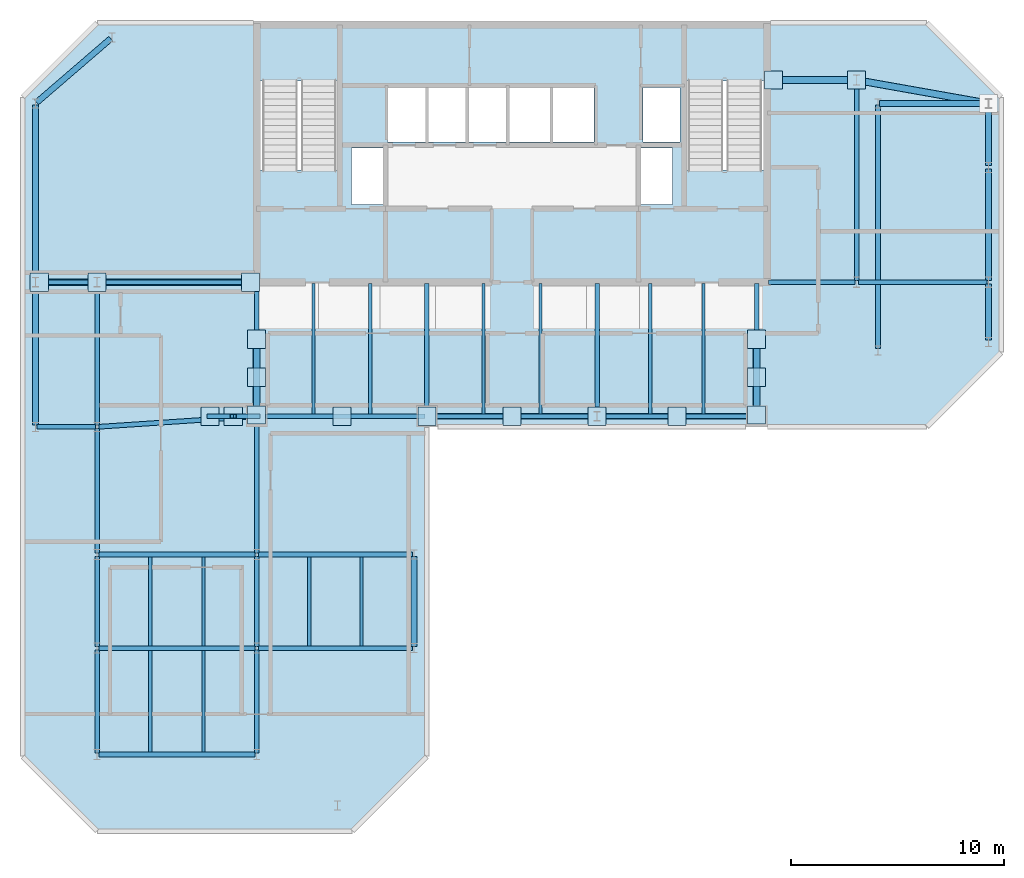
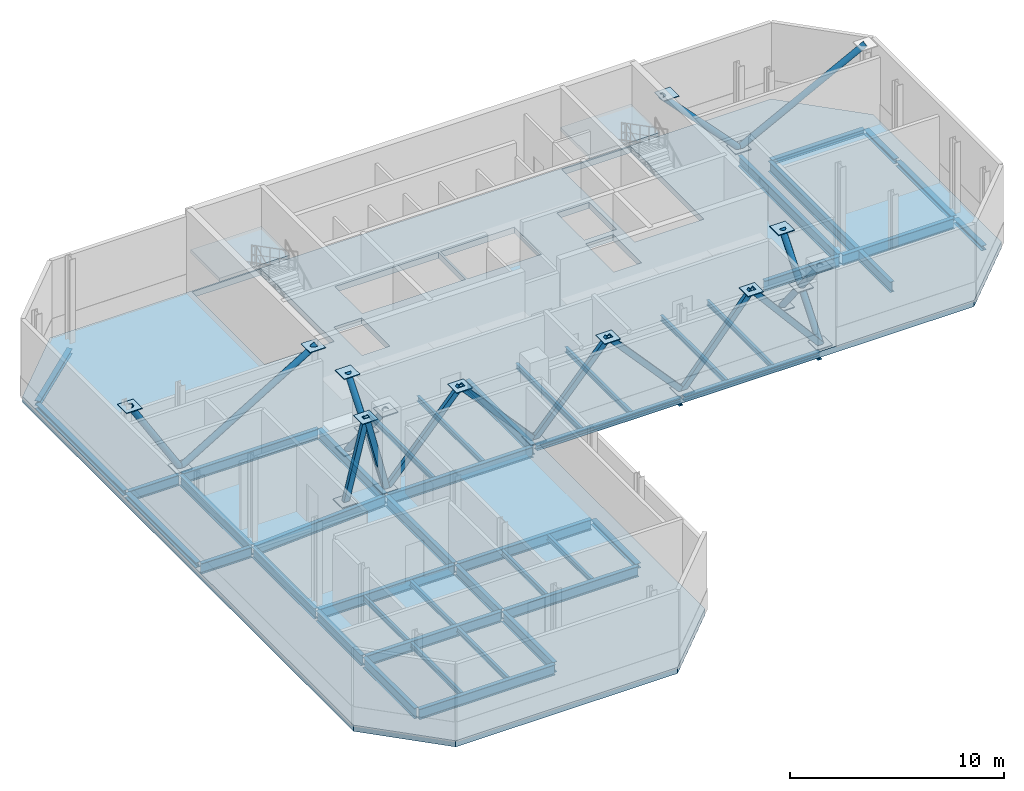
# One storey, part 3 of 7: 47 beams, 22 plates, 18 members, 3 slabs, 2 elements without a shape of their own.
"""IFC4 building model written with IfcOpenShell, lengths in metres."""

from ifc_helpers import new_model, si_unit, direction, frame, origin, origin_2d, place, context, subcontext, project, spatial, polyline, rectangle, hollow_rectangle, hollow_circle, i_section, outline, extrude, material, layer, layer_set, material_profile, profile_set, type_object, element, aggregate, save


model = new_model("IFC4")

# Units and contexts
model_context = context("Model", 3, precision=1e-05, world=origin(), true_north=direction((0.0, 1.0)))
body_context = subcontext(model_context, "Body", "Model", "MODEL_VIEW")
ifc_project = project(units=[si_unit("LENGTHUNIT", "METRE"), si_unit("AREAUNIT", "SQUARE_METRE"), si_unit("VOLUMEUNIT", "CUBIC_METRE"), si_unit("PLANEANGLEUNIT", "RADIAN"), si_unit("MASSUNIT", "GRAM", prefix="KILO")], contexts=[model_context])

# Site, building, storey
site_placement = place(None, origin())
site = spatial("IfcSite", under=ifc_project, at=site_placement, CompositionType="ELEMENT")
building_placement = place(site_placement, origin())
building = spatial("IfcBuilding", under=site, at=building_placement, Name="Catumbela Crestline Tower", CompositionType="ELEMENT")
storey_placement = place(building_placement, frame((0.0, 0.0, 208.2)))
storey = spatial("IfcBuildingStorey", under=building, at=storey_placement, Name="L54", CompositionType="ELEMENT", Elevation=208.2)

# Beams
ifc_material_1 = material(Name="Structural steel S355J2", Category="steel")
ifc_material_profile_1 = material_profile(ifc_material_1, i_section(OverallWidth=0.22, OverallDepth=0.6, WebThickness=0.012, FlangeThickness=0.019, FilletRadius=0.024, at=origin_2d()), Name="IPE 600")
ifc_profile_set_1 = profile_set([ifc_material_profile_1], Name="Structural steel S355J2")
beam_type_1 = type_object("IfcBeamType", Name="BG-IPE600", PredefinedType="BEAM", material=ifc_profile_set_1)
beam_1_placement = place(storey_placement, frame((5.68, 24.0, -0.65), z_axis=(1.0, 0.0, 0.0), x_axis=(0.0, 1.0, 0.0)))
element("IfcBeam", 1, at=beam_1_placement, inside=storey, type_object=beam_type_1, Name="L54 Beam BM-L54-S01", PredefinedType="BEAM", context=body_context, shape_type="SweptSolid", body=[
    extrude(i_section(OverallWidth=0.22, OverallDepth=0.6, WebThickness=0.012, FlangeThickness=0.019, FilletRadius=0.024, at=origin_2d()), origin(), (0.0, 0.0, 1.0), 2.74),
])
beam_2_placement = place(storey_placement, frame((8.5798, 24.0053, -0.65), z_axis=(0.997784796964, 0.066524423687, 0.0), x_axis=(-0.066524423687, 0.997784796964, 0.0)))
element("IfcBeam", 2, at=beam_2_placement, inside=storey, type_object=beam_type_1, Name="L54 Beam BM-L54-S02", PredefinedType="BEAM", context=body_context, shape_type="SweptSolid", body=[
    extrude(i_section(OverallWidth=0.22, OverallDepth=0.6, WebThickness=0.012, FlangeThickness=0.019, FilletRadius=0.024, at=origin_2d()), origin(), (0.0, 0.0, 1.0), 7.3567),
])
beam_3_placement = place(storey_placement, frame((16.08, 24.5, -0.65), z_axis=(1.0, 0.0, 0.0), x_axis=(0.0, 1.0, 0.0)))
element("IfcBeam", 3, at=beam_3_placement, inside=storey, type_object=beam_type_1, Name="L54 Beam BM-L54-S03", PredefinedType="BEAM", context=body_context, shape_type="SweptSolid", body=[
    extrude(i_section(OverallWidth=0.22, OverallDepth=0.6, WebThickness=0.012, FlangeThickness=0.019, FilletRadius=0.024, at=origin_2d()), origin(), (0.0, 0.0, 1.0), 7.84),
])
beam_4_placement = place(storey_placement, frame((5.68, 30.8, -0.65), z_axis=(1.0, 0.0, 0.0), x_axis=(0.0, 1.0, 0.0)))
element("IfcBeam", 4, at=beam_4_placement, inside=storey, type_object=beam_type_1, Name="L54 Beam BM-L54-M06", PredefinedType="BEAM", context=body_context, shape_type="SweptSolid", body=[
    extrude(i_section(OverallWidth=0.22, OverallDepth=0.6, WebThickness=0.012, FlangeThickness=0.019, FilletRadius=0.024, at=origin_2d()), origin(), (0.0, 0.0, 1.0), 2.74),
])
beam_5_placement = place(storey_placement, frame((8.58, 30.8, -0.65), z_axis=(1.0, 0.0, 0.0), x_axis=(0.0, 1.0, 0.0)))
element("IfcBeam", 5, at=beam_5_placement, inside=storey, type_object=beam_type_1, Name="L54 Beam BM-L54-M07", PredefinedType="BEAM", context=body_context, shape_type="SweptSolid", body=[
    extrude(i_section(OverallWidth=0.22, OverallDepth=0.6, WebThickness=0.012, FlangeThickness=0.019, FilletRadius=0.024, at=origin_2d()), origin(), (0.0, 0.0, 1.0), 7.37),
])
beam_6_placement = place(storey_placement, frame((40.05, 30.8, -0.65), z_axis=(1.0, 0.0, 0.0), x_axis=(0.0, 1.0, 0.0)))
element("IfcBeam", 6, at=beam_6_placement, inside=storey, type_object=beam_type_1, Name="L54 Beam BM-L54-M08", PredefinedType="BEAM", context=body_context, shape_type="SweptSolid", body=[
    extrude(i_section(OverallWidth=0.22, OverallDepth=0.6, WebThickness=0.012, FlangeThickness=0.019, FilletRadius=0.024, at=origin_2d()), origin(), (0.0, 0.0, 1.0), 4.07),
])
beam_7_placement = place(storey_placement, frame((44.28, 30.8, -0.65), z_axis=(1.0, 0.0, 0.0), x_axis=(0.0, 1.0, 0.0)))
element("IfcBeam", 7, at=beam_7_placement, inside=storey, type_object=beam_type_1, Name="L54 Beam BM-L54-M09", PredefinedType="BEAM", context=body_context, shape_type="SweptSolid", body=[
    extrude(i_section(OverallWidth=0.22, OverallDepth=0.6, WebThickness=0.012, FlangeThickness=0.019, FilletRadius=0.024, at=origin_2d()), origin(), (0.0, 0.0, 1.0), 6.04),
])
beam_8_placement = place(storey_placement, frame((8.5, 24.08, -0.65), z_axis=(0.0, 1.0, 0.0), x_axis=(-1.0, 0.0, 0.0)))
element("IfcBeam", 8, at=beam_8_placement, inside=storey, type_object=beam_type_1, Name="L54 Beam BM-L54-SN16", PredefinedType="BEAM", context=body_context, shape_type="SweptSolid", body=[
    extrude(i_section(OverallWidth=0.22, OverallDepth=0.6, WebThickness=0.012, FlangeThickness=0.019, FilletRadius=0.024, at=origin_2d()), origin(), (0.0, 0.0, 1.0), 6.64),
])
for number, where, z_axis, x_axis, name in (
    (9, (16.0, 24.58, -0.65), (0.0, 1.0, 0.0), (-1.0, 0.0, 0.0), "L54 Beam BM-L54-SNS17"),
    (10, (24.0, 24.58, -0.65), (0.0, 1.0, 0.0), (-1.0, 0.0, 0.0), "L54 Beam BM-L54-SNS18"),
    (11, (32.0, 24.58, -0.65), (0.0, 1.0, 0.0), (-1.0, 0.0, 0.0), "L54 Beam BM-L54-SNS19"),
    (12, (39.5, 24.58, -0.65), (0.0, 1.0, 0.0), (-1.0, 0.0, 0.0), "L54 Beam BM-L54-SNS20"),
):
    element("IfcBeam", number, at=place(storey_placement, frame(where, z_axis=z_axis, x_axis=x_axis)), inside=storey, type_object=beam_type_1, Name=name, PredefinedType="BEAM", context=body_context, shape_type="SweptSolid", body=[
        extrude(i_section(OverallWidth=0.22, OverallDepth=0.6, WebThickness=0.012, FlangeThickness=0.019, FilletRadius=0.024, at=origin_2d()), origin(), (0.0, 0.0, 1.0), 6.17),
    ])
beam_9_placement = place(storey_placement, frame((44.2, 30.88, -0.65), z_axis=(0.0, 1.0, 0.0), x_axis=(-1.0, 0.0, 0.0)))
element("IfcBeam", 13, at=beam_9_placement, inside=storey, type_object=beam_type_1, Name="L54 Beam BM-L54-SN21", PredefinedType="BEAM", context=body_context, shape_type="SweptSolid", body=[
    extrude(i_section(OverallWidth=0.22, OverallDepth=0.6, WebThickness=0.012, FlangeThickness=0.019, FilletRadius=0.024, at=origin_2d()), origin(), (0.0, 0.0, 1.0), 9.34),
])
beam_10_placement = place(storey_placement, frame((45.2, 27.68, -0.65), z_axis=(0.0, 1.0, 0.0), x_axis=(-1.0, 0.0, 0.0)))
element("IfcBeam", 14, at=beam_10_placement, inside=storey, type_object=beam_type_1, Name="L54 Beam BM-L54-SN22", PredefinedType="BEAM", context=body_context, shape_type="SweptSolid", body=[
    extrude(i_section(OverallWidth=0.22, OverallDepth=0.6, WebThickness=0.012, FlangeThickness=0.019, FilletRadius=0.024, at=origin_2d()), origin(), (0.0, 0.0, 1.0), 11.44),
])
for number, where, z_axis, x_axis, name in (
    (15, (8.58, 8.6, -0.65), (1.0, 0.0, 0.0), (0.0, 1.0, 0.0), "L54 Beam BM-L54-WEW32"),
    (16, (8.58, 13.6, -0.65), (1.0, 0.0, 0.0), (0.0, 1.0, 0.0), "L54 Beam BM-L54-WEW33"),
):
    element("IfcBeam", number, at=place(storey_placement, frame(where, z_axis=z_axis, x_axis=x_axis)), inside=storey, type_object=beam_type_1, Name=name, PredefinedType="BEAM", context=body_context, shape_type="SweptSolid", body=[
        extrude(i_section(OverallWidth=0.22, OverallDepth=0.6, WebThickness=0.012, FlangeThickness=0.019, FilletRadius=0.024, at=origin_2d()), origin(), (0.0, 0.0, 1.0), 7.34),
    ])
beam_11_placement = place(storey_placement, frame((16.08, 13.6, -0.65), z_axis=(1.0, 0.0, 0.0), x_axis=(0.0, 1.0, 0.0)))
element("IfcBeam", 17, at=beam_11_placement, inside=storey, type_object=beam_type_1, Name="L54 Beam BM-L54-WEW34", PredefinedType="BEAM", context=body_context, shape_type="SweptSolid", body=[
    extrude(i_section(OverallWidth=0.22, OverallDepth=0.6, WebThickness=0.012, FlangeThickness=0.019, FilletRadius=0.024, at=origin_2d()), origin(), (0.0, 0.0, 1.0), 7.24),
])
beam_12_placement = place(storey_placement, frame((8.58, 18.0, -0.65), z_axis=(1.0, 0.0, 0.0), x_axis=(0.0, 1.0, 0.0)))
element("IfcBeam", 18, at=beam_12_placement, inside=storey, type_object=beam_type_1, Name="L54 Beam BM-L54-WEW35", PredefinedType="BEAM", context=body_context, shape_type="SweptSolid", body=[
    extrude(i_section(OverallWidth=0.22, OverallDepth=0.6, WebThickness=0.012, FlangeThickness=0.019, FilletRadius=0.024, at=origin_2d()), origin(), (0.0, 0.0, 1.0), 7.34),
])
beam_13_placement = place(storey_placement, frame((16.08, 18.0, -0.65), z_axis=(1.0, 0.0, 0.0), x_axis=(0.0, 1.0, 0.0)))
element("IfcBeam", 19, at=beam_13_placement, inside=storey, type_object=beam_type_1, Name="L54 Beam BM-L54-WEW36", PredefinedType="BEAM", context=body_context, shape_type="SweptSolid", body=[
    extrude(i_section(OverallWidth=0.22, OverallDepth=0.6, WebThickness=0.012, FlangeThickness=0.019, FilletRadius=0.024, at=origin_2d()), origin(), (0.0, 0.0, 1.0), 7.24),
])
beam_14_placement = place(storey_placement, frame((8.5, 8.68, -0.65), z_axis=(0.0, 1.0, 0.0), x_axis=(-1.0, 0.0, 0.0)))
element("IfcBeam", 20, at=beam_14_placement, inside=storey, type_object=beam_type_1, Name="L54 Beam BM-L54-WNS37", PredefinedType="BEAM", context=body_context, shape_type="SweptSolid", body=[
    extrude(i_section(OverallWidth=0.22, OverallDepth=0.6, WebThickness=0.012, FlangeThickness=0.019, FilletRadius=0.024, at=origin_2d()), origin(), (0.0, 0.0, 1.0), 4.84),
])
beam_15_placement = place(storey_placement, frame((8.5, 13.68, -0.65), z_axis=(0.0, 1.0, 0.0), x_axis=(-1.0, 0.0, 0.0)))
element("IfcBeam", 21, at=beam_15_placement, inside=storey, type_object=beam_type_1, Name="L54 Beam BM-L54-WNS38", PredefinedType="BEAM", context=body_context, shape_type="SweptSolid", body=[
    extrude(i_section(OverallWidth=0.22, OverallDepth=0.6, WebThickness=0.012, FlangeThickness=0.019, FilletRadius=0.024, at=origin_2d()), origin(), (0.0, 0.0, 1.0), 4.24),
])
beam_16_placement = place(storey_placement, frame((8.5, 18.08, -0.65), z_axis=(0.0, 1.0, 0.0), x_axis=(-1.0, 0.0, 0.0)))
element("IfcBeam", 22, at=beam_16_placement, inside=storey, type_object=beam_type_1, Name="L54 Beam BM-L54-WNS39", PredefinedType="BEAM", context=body_context, shape_type="SweptSolid", body=[
    extrude(i_section(OverallWidth=0.22, OverallDepth=0.6, WebThickness=0.012, FlangeThickness=0.019, FilletRadius=0.024, at=origin_2d()), origin(), (0.0, 0.0, 1.0), 5.84),
])
beam_17_placement = place(storey_placement, frame((16.0, 8.68, -0.65), z_axis=(0.0, 1.0, 0.0), x_axis=(-1.0, 0.0, 0.0)))
element("IfcBeam", 23, at=beam_17_placement, inside=storey, type_object=beam_type_1, Name="L54 Beam BM-L54-WNS40", PredefinedType="BEAM", context=body_context, shape_type="SweptSolid", body=[
    extrude(i_section(OverallWidth=0.22, OverallDepth=0.6, WebThickness=0.012, FlangeThickness=0.019, FilletRadius=0.024, at=origin_2d()), origin(), (0.0, 0.0, 1.0), 4.84),
])
beam_18_placement = place(storey_placement, frame((16.0, 13.68, -0.65), z_axis=(0.0, 1.0, 0.0), x_axis=(-1.0, 0.0, 0.0)))
element("IfcBeam", 24, at=beam_18_placement, inside=storey, type_object=beam_type_1, Name="L54 Beam BM-L54-WNS41", PredefinedType="BEAM", context=body_context, shape_type="SweptSolid", body=[
    extrude(i_section(OverallWidth=0.22, OverallDepth=0.6, WebThickness=0.012, FlangeThickness=0.019, FilletRadius=0.024, at=origin_2d()), origin(), (0.0, 0.0, 1.0), 4.24),
])
beam_19_placement = place(storey_placement, frame((16.0, 18.08, -0.65), z_axis=(0.0, 1.0, 0.0), x_axis=(-1.0, 0.0, 0.0)))
element("IfcBeam", 25, at=beam_19_placement, inside=storey, type_object=beam_type_1, Name="L54 Beam BM-L54-WNS42", PredefinedType="BEAM", context=body_context, shape_type="SweptSolid", body=[
    extrude(i_section(OverallWidth=0.22, OverallDepth=0.6, WebThickness=0.012, FlangeThickness=0.019, FilletRadius=0.024, at=origin_2d()), origin(), (0.0, 0.0, 1.0), 6.34),
])
ifc_material_profile_2 = material_profile(ifc_material_1, i_section(OverallWidth=0.15, OverallDepth=0.3, WebThickness=0.0071, FlangeThickness=0.0107, FilletRadius=0.015, at=origin_2d()), Name="IPE 300")
ifc_profile_set_2 = profile_set([ifc_material_profile_2], Name="Structural steel S355J2")
beam_type_2 = type_object("IfcBeamType", Name="BJ-IPE300", PredefinedType="JOIST", material=ifc_profile_set_2)
for number, where, z_axis, x_axis, name in (
    (26, (18.667, 24.61, -0.5), (0.0, 1.0, 0.0), (-1.0, 0.0, 0.0), "L54 Joist JS-L54-SP26"),
    (27, (21.333, 24.61, -0.5), (0.0, 1.0, 0.0), (-1.0, 0.0, 0.0), "L54 Joist JS-L54-SP27"),
    (28, (26.667, 24.61, -0.5), (0.0, 1.0, 0.0), (-1.0, 0.0, 0.0), "L54 Joist JS-L54-SP28"),
    (29, (29.333, 24.61, -0.5), (0.0, 1.0, 0.0), (-1.0, 0.0, 0.0), "L54 Joist JS-L54-SP29"),
    (30, (34.5, 24.61, -0.5), (0.0, 1.0, 0.0), (-1.0, 0.0, 0.0), "L54 Joist JS-L54-SP30"),
    (31, (37.0, 24.61, -0.5), (0.0, 1.0, 0.0), (-1.0, 0.0, 0.0), "L54 Joist JS-L54-SP31"),
):
    element("IfcBeam", number, at=place(storey_placement, frame(where, z_axis=z_axis, x_axis=x_axis)), inside=storey, type_object=beam_type_2, Name=name, PredefinedType="JOIST", context=body_context, shape_type="SweptSolid", body=[
        extrude(i_section(OverallWidth=0.15, OverallDepth=0.3, WebThickness=0.0071, FlangeThickness=0.0107, FilletRadius=0.015, at=origin_2d()), origin(), (0.0, 0.0, 1.0), 6.14),
    ])
for number, where, z_axis, x_axis, name in (
    (32, (11.0, 8.71, -0.5), (0.0, 1.0, 0.0), (-1.0, 0.0, 0.0), "L54 Joist JS-L54-WG44"),
    (33, (13.5, 8.71, -0.5), (0.0, 1.0, 0.0), (-1.0, 0.0, 0.0), "L54 Joist JS-L54-WG45"),
):
    element("IfcBeam", number, at=place(storey_placement, frame(where, z_axis=z_axis, x_axis=x_axis)), inside=storey, type_object=beam_type_2, Name=name, PredefinedType="JOIST", context=body_context, shape_type="SweptSolid", body=[
        extrude(i_section(OverallWidth=0.15, OverallDepth=0.3, WebThickness=0.0071, FlangeThickness=0.0107, FilletRadius=0.015, at=origin_2d()), origin(), (0.0, 0.0, 1.0), 4.78),
    ])
for number, where, z_axis, x_axis, name in (
    (34, (11.0, 13.71, -0.5), (0.0, 1.0, 0.0), (-1.0, 0.0, 0.0), "L54 Joist JS-L54-WG46"),
    (35, (13.5, 13.71, -0.5), (0.0, 1.0, 0.0), (-1.0, 0.0, 0.0), "L54 Joist JS-L54-WG47"),
    (36, (18.467, 13.71, -0.5), (0.0, 1.0, 0.0), (-1.0, 0.0, 0.0), "L54 Joist JS-L54-WG48"),
    (37, (20.933, 13.71, -0.5), (0.0, 1.0, 0.0), (-1.0, 0.0, 0.0), "L54 Joist JS-L54-WG49"),
):
    element("IfcBeam", number, at=place(storey_placement, frame(where, z_axis=z_axis, x_axis=x_axis)), inside=storey, type_object=beam_type_2, Name=name, PredefinedType="JOIST", context=body_context, shape_type="SweptSolid", body=[
        extrude(i_section(OverallWidth=0.15, OverallDepth=0.3, WebThickness=0.0071, FlangeThickness=0.0107, FilletRadius=0.015, at=origin_2d()), origin(), (0.0, 0.0, 1.0), 4.18),
    ])

# Members
ifc_material_2 = material(Name="Structural steel S460M", Category="steel")
ifc_material_profile_3 = material_profile(ifc_material_2, hollow_rectangle(XDim=0.2, YDim=0.3, WallThickness=0.016, at=origin_2d()), Name="RHS 300x200x16")
ifc_profile_set_3 = profile_set([ifc_material_profile_3], Name="Structural steel S460M")
member_type_1 = type_object("IfcMemberType", Name="BB-300", PredefinedType="BRACE", material=ifc_profile_set_3)
for number, where, z_axis, x_axis, name in (
    (38, (13.8, 24.5, 0.01), (0.240988864291, 0.0, 0.970527880737), (0.0, 1.0, 0.0), "L54 Outrigger and Belt Truss Diagonal BT-S1"),
    (39, (14.9, 24.5, 4.44), (0.240988864291, 0.0, -0.970527880737), (0.0, 1.0, 0.0), "L54 Outrigger and Belt Truss Diagonal BT-S2"),
):
    element("IfcMember", number, at=place(storey_placement, frame(where, z_axis=z_axis, x_axis=x_axis)), inside=storey, type_object=member_type_1, Name=name, PredefinedType="BRACE", context=body_context, shape_type="SweptSolid", body=[
        extrude(hollow_rectangle(XDim=0.2, YDim=0.3, WallThickness=0.016, at=origin_2d()), origin(), (0.0, 0.0, 1.0), 4.5645),
    ])
for number, where, z_axis, x_axis, name in (
    (40, (16.0, 24.5, 0.01), (0.670167193853, 0.0, 0.742210167192), (0.0, 1.0, 0.0), "L54 Outrigger and Belt Truss Diagonal BT-S3"),
    (41, (20.0, 24.5, 4.44), (0.670167193853, 0.0, -0.742210167192), (0.0, 1.0, 0.0), "L54 Outrigger and Belt Truss Diagonal BT-S4"),
    (42, (24.0, 24.5, 0.01), (0.670167193853, 0.0, 0.742210167192), (0.0, 1.0, 0.0), "L54 Outrigger and Belt Truss Diagonal BT-S5"),
    (43, (28.0, 24.5, 4.44), (0.670167193853, 0.0, -0.742210167192), (0.0, 1.0, 0.0), "L54 Outrigger and Belt Truss Diagonal BT-S6"),
):
    element("IfcMember", number, at=place(storey_placement, frame(where, z_axis=z_axis, x_axis=x_axis)), inside=storey, type_object=member_type_1, Name=name, PredefinedType="BRACE", context=body_context, shape_type="SweptSolid", body=[
        extrude(hollow_rectangle(XDim=0.2, YDim=0.3, WallThickness=0.016, at=origin_2d()), origin(), (0.0, 0.0, 1.0), 5.9687),
    ])
for number, where, z_axis, x_axis, name in (
    (44, (32.0, 24.5, 0.01), (0.646096697338, 0.0, 0.763255565122), (0.0, 1.0, 0.0), "L54 Outrigger and Belt Truss Diagonal BT-S7"),
    (45, (35.75, 24.5, 4.44), (0.646096697338, 0.0, -0.763255565122), (0.0, 1.0, 0.0), "L54 Outrigger and Belt Truss Diagonal BT-S8"),
):
    element("IfcMember", number, at=place(storey_placement, frame(where, z_axis=z_axis, x_axis=x_axis)), inside=storey, type_object=member_type_1, Name=name, PredefinedType="BRACE", context=body_context, shape_type="SweptSolid", body=[
        extrude(hollow_rectangle(XDim=0.2, YDim=0.3, WallThickness=0.016, at=origin_2d()), origin(), (0.0, 0.0, 1.0), 5.8041),
    ])
ifc_material_profile_4 = material_profile(ifc_material_2, hollow_circle(Radius=0.162, WallThickness=0.02, at=origin_2d()), Name="CHS 323.9x20")
ifc_profile_set_4 = profile_set([ifc_material_profile_4], Name="Structural steel S460M")
member_type_2 = type_object("IfcMemberType", Name="OB-324", PredefinedType="BRACE", material=ifc_profile_set_4)
member_1_placement = place(storey_placement, frame((16.0, 28.12, 4.44), z_axis=(0.0, -0.627477572979, -0.778634635377), x_axis=(1.0, 0.0, 0.0)))
element("IfcMember", 46, at=member_1_placement, inside=storey, type_object=member_type_2, Name="L54 Outrigger and Belt Truss Diagonal OU-W1", PredefinedType="BRACE", context=body_context, shape_type="SweptSolid", body=[
    extrude(hollow_circle(Radius=0.162, WallThickness=0.02, at=origin_2d()), origin(), (0.0, 0.0, 1.0), 5.6894),
])
for number, where, z_axis, x_axis, name in (
    (47, (16.0, 28.12, 0.01), (0.0, -0.624695047554, 0.780868809443), (1.0, 0.0, 0.0), "L54 Outrigger and Belt Truss Diagonal OU-W2A"),
    (48, (16.0, 26.29, 2.265), (0.0, -0.624695047554, 0.780868809443), (1.0, 0.0, 0.0), "L54 Outrigger and Belt Truss Diagonal OU-W2B"),
):
    element("IfcMember", number, at=place(storey_placement, frame(where, z_axis=z_axis, x_axis=x_axis)), inside=storey, type_object=member_type_2, Name=name, PredefinedType="BRACE", context=body_context, shape_type="SweptSolid", body=[
        extrude(hollow_circle(Radius=0.162, WallThickness=0.02, at=origin_2d()), origin(), (0.0, 0.0, 1.0), 2.7854),
    ])
member_2_placement = place(storey_placement, frame((39.5, 28.12, 4.44), z_axis=(0.0, -0.627477572979, -0.778634635377), x_axis=(1.0, 0.0, 0.0)))
element("IfcMember", 49, at=member_2_placement, inside=storey, type_object=member_type_2, Name="L54 Outrigger and Belt Truss Diagonal OU-E1", PredefinedType="BRACE", context=body_context, shape_type="SweptSolid", body=[
    extrude(hollow_circle(Radius=0.162, WallThickness=0.02, at=origin_2d()), origin(), (0.0, 0.0, 1.0), 5.6894),
])
for number, where, z_axis, x_axis, name in (
    (50, (39.5, 28.12, 0.01), (0.0, -0.624695047554, 0.780868809443), (1.0, 0.0, 0.0), "L54 Outrigger and Belt Truss Diagonal OU-E2A"),
    (51, (39.5, 26.29, 2.265), (0.0, -0.624695047554, 0.780868809443), (1.0, 0.0, 0.0), "L54 Outrigger and Belt Truss Diagonal OU-E2B"),
):
    element("IfcMember", number, at=place(storey_placement, frame(where, z_axis=z_axis, x_axis=x_axis)), inside=storey, type_object=member_type_2, Name=name, PredefinedType="BRACE", context=body_context, shape_type="SweptSolid", body=[
        extrude(hollow_circle(Radius=0.162, WallThickness=0.02, at=origin_2d()), origin(), (0.0, 0.0, 1.0), 2.7854),
    ])
member_3_placement = place(storey_placement, frame((15.85, 30.8, 4.44), z_axis=(-0.85646304655, 0.0, -0.516208339621), x_axis=(0.0, -1.0, 0.0)))
element("IfcMember", 52, at=member_3_placement, inside=storey, type_object=member_type_2, Name="L54 Outrigger and Belt Truss Diagonal OU-LW1", PredefinedType="BRACE", context=body_context, shape_type="SweptSolid", body=[
    extrude(hollow_circle(Radius=0.162, WallThickness=0.02, at=origin_2d()), origin(), (0.0, 0.0, 1.0), 8.5818),
])
member_4_placement = place(storey_placement, frame((8.5, 30.8, 0.01), z_axis=(-0.523238525018, 0.0, 0.852186274201), x_axis=(0.0, -1.0, 0.0)))
element("IfcMember", 53, at=member_4_placement, inside=storey, type_object=member_type_2, Name="L54 Outrigger and Belt Truss Diagonal OU-LW2", PredefinedType="BRACE", context=body_context, shape_type="SweptSolid", body=[
    extrude(hollow_circle(Radius=0.162, WallThickness=0.02, at=origin_2d()), origin(), (0.0, 0.0, 1.0), 5.1984),
])
member_5_placement = place(storey_placement, frame((40.0, 40.3, 4.44), z_axis=(0.688017223549, 0.0, -0.725694357219), x_axis=(0.0, 1.0, 0.0)))
element("IfcMember", 54, at=member_5_placement, inside=storey, type_object=member_type_2, Name="L54 Outrigger and Belt Truss Diagonal OU-LE1", PredefinedType="BRACE", context=body_context, shape_type="SweptSolid", body=[
    extrude(hollow_circle(Radius=0.162, WallThickness=0.02, at=origin_2d()), origin(), (0.0, 0.0, 1.0), 6.1045),
])
member_6_placement = place(storey_placement, frame((44.2, 40.3, 0.01), z_axis=(0.805297358445, -0.142875337789, 0.575397951276), x_axis=(0.174691224621, 0.984623266047, 0.0)))
element("IfcMember", 55, at=member_6_placement, inside=storey, type_object=member_type_2, Name="L54 Outrigger and Belt Truss Diagonal OU-LE2", PredefinedType="BRACE", context=body_context, shape_type="SweptSolid", body=[
    extrude(hollow_circle(Radius=0.162, WallThickness=0.02, at=origin_2d()), origin(), (0.0, 0.0, 1.0), 7.699),
])

# Beams
ifc_material_profile_5 = material_profile(ifc_material_1, i_section(OverallWidth=0.28, OverallDepth=0.28, WebThickness=0.0105, FlangeThickness=0.018, FilletRadius=0.024, at=origin_2d()), Name="HEB 280")
ifc_profile_set_5 = profile_set([ifc_material_profile_5], Name="Structural steel S355J2")
beam_type_3 = type_object("IfcBeamType", Name="BS-HEB280", PredefinedType="SPANDREL", material=ifc_profile_set_5)
beam_20_placement = place(storey_placement, frame((24.08, 24.5, -0.49), z_axis=(1.0, 0.0, 0.0), x_axis=(0.0, 1.0, 0.0)))
element("IfcBeam", 56, at=beam_20_placement, inside=storey, type_object=beam_type_3, Name="L54 Spandrel SP-L54-S04", PredefinedType="SPANDREL", context=body_context, shape_type="SweptSolid", body=[
    extrude(i_section(OverallWidth=0.28, OverallDepth=0.28, WebThickness=0.0105, FlangeThickness=0.018, FilletRadius=0.024, at=origin_2d()), origin(), (0.0, 0.0, 1.0), 7.84),
])
beam_21_placement = place(storey_placement, frame((32.08, 24.5, -0.49), z_axis=(1.0, 0.0, 0.0), x_axis=(0.0, 1.0, 0.0)))
element("IfcBeam", 57, at=beam_21_placement, inside=storey, type_object=beam_type_3, Name="L54 Spandrel SP-L54-S05", PredefinedType="SPANDREL", context=body_context, shape_type="SweptSolid", body=[
    extrude(i_section(OverallWidth=0.28, OverallDepth=0.28, WebThickness=0.0105, FlangeThickness=0.018, FilletRadius=0.024, at=origin_2d()), origin(), (0.0, 0.0, 1.0), 7.34),
])
beam_22_placement = place(storey_placement, frame((5.6606, 39.2522, -0.49), z_axis=(0.757772392559, 0.652518966066, 0.0), x_axis=(-0.652518966066, 0.757772392559, 0.0)))
element("IfcBeam", 58, at=beam_22_placement, inside=storey, type_object=beam_type_3, Name="L54 Spandrel SP-L54-N10", PredefinedType="SPANDREL", context=body_context, shape_type="SweptSolid", body=[
    extrude(i_section(OverallWidth=0.28, OverallDepth=0.28, WebThickness=0.0105, FlangeThickness=0.018, FilletRadius=0.024, at=origin_2d()), origin(), (0.0, 0.0, 1.0), 4.5908),
])
beam_23_placement = place(storey_placement, frame((45.28, 39.2, -0.49), z_axis=(1.0, 0.0, 0.0), x_axis=(0.0, 1.0, 0.0)))
element("IfcBeam", 59, at=beam_23_placement, inside=storey, type_object=beam_type_3, Name="L54 Spandrel SP-L54-N13", PredefinedType="SPANDREL", context=body_context, shape_type="SweptSolid", body=[
    extrude(i_section(OverallWidth=0.28, OverallDepth=0.28, WebThickness=0.0105, FlangeThickness=0.018, FilletRadius=0.024, at=origin_2d()), origin(), (0.0, 0.0, 1.0), 5.04),
])
beam_24_placement = place(storey_placement, frame((5.6, 24.08, -0.49), z_axis=(0.0, 1.0, 0.0), x_axis=(-1.0, 0.0, 0.0)))
element("IfcBeam", 60, at=beam_24_placement, inside=storey, type_object=beam_type_3, Name="L54 Spandrel SP-L54-SN14", PredefinedType="SPANDREL", context=body_context, shape_type="SweptSolid", body=[
    extrude(i_section(OverallWidth=0.28, OverallDepth=0.28, WebThickness=0.0105, FlangeThickness=0.018, FilletRadius=0.024, at=origin_2d()), origin(), (0.0, 0.0, 1.0), 6.64),
])
beam_25_placement = place(storey_placement, frame((5.6, 30.88, -0.49), z_axis=(0.0, 1.0, 0.0), x_axis=(-1.0, 0.0, 0.0)))
element("IfcBeam", 61, at=beam_25_placement, inside=storey, type_object=beam_type_3, Name="L54 Spandrel SP-L54-SN15", PredefinedType="SPANDREL", context=body_context, shape_type="SweptSolid", body=[
    extrude(i_section(OverallWidth=0.28, OverallDepth=0.28, WebThickness=0.0105, FlangeThickness=0.018, FilletRadius=0.024, at=origin_2d()), origin(), (0.0, 0.0, 1.0), 8.24),
])
beam_26_placement = place(storey_placement, frame((50.4, 28.08, -0.49), z_axis=(0.0, 1.0, 0.0), x_axis=(-1.0, 0.0, 0.0)))
element("IfcBeam", 62, at=beam_26_placement, inside=storey, type_object=beam_type_3, Name="L54 Spandrel SP-L54-SN23", PredefinedType="SPANDREL", context=body_context, shape_type="SweptSolid", body=[
    extrude(i_section(OverallWidth=0.28, OverallDepth=0.28, WebThickness=0.0105, FlangeThickness=0.018, FilletRadius=0.024, at=origin_2d()), origin(), (0.0, 0.0, 1.0), 2.64),
])
beam_27_placement = place(storey_placement, frame((50.4, 30.88, -0.49), z_axis=(0.0, 1.0, 0.0), x_axis=(-1.0, 0.0, 0.0)))
element("IfcBeam", 63, at=beam_27_placement, inside=storey, type_object=beam_type_3, Name="L54 Spandrel SP-L54-SN24", PredefinedType="SPANDREL", context=body_context, shape_type="SweptSolid", body=[
    extrude(i_section(OverallWidth=0.28, OverallDepth=0.28, WebThickness=0.0105, FlangeThickness=0.018, FilletRadius=0.024, at=origin_2d()), origin(), (0.0, 0.0, 1.0), 5.24),
])
beam_28_placement = place(storey_placement, frame((50.4, 36.28, -0.49), z_axis=(0.0, 1.0, 0.0), x_axis=(-1.0, 0.0, 0.0)))
element("IfcBeam", 64, at=beam_28_placement, inside=storey, type_object=beam_type_3, Name="L54 Spandrel SP-L54-SN25", PredefinedType="SPANDREL", context=body_context, shape_type="SweptSolid", body=[
    extrude(i_section(OverallWidth=0.28, OverallDepth=0.28, WebThickness=0.0105, FlangeThickness=0.018, FilletRadius=0.024, at=origin_2d()), origin(), (0.0, 0.0, 1.0), 2.84),
])
beam_29_placement = place(storey_placement, frame((23.4, 13.68, -0.49), z_axis=(0.0, 1.0, 0.0), x_axis=(-1.0, 0.0, 0.0)))
element("IfcBeam", 65, at=beam_29_placement, inside=storey, type_object=beam_type_3, Name="L54 Spandrel SP-L54-WNS43", PredefinedType="SPANDREL", context=body_context, shape_type="SweptSolid", body=[
    extrude(i_section(OverallWidth=0.28, OverallDepth=0.28, WebThickness=0.0105, FlangeThickness=0.018, FilletRadius=0.024, at=origin_2d()), origin(), (0.0, 0.0, 1.0), 4.24),
])

# Plates
ifc_layer_1 = layer(ifc_material_2, 0.04, Name="Structural steel S460M")
ifc_layer_set_1 = layer_set([ifc_layer_1], Name="Structural steel S460M")
plate_type = type_object("IfcPlateType", Name="GP-40", PredefinedType="USERDEFINED", material=ifc_layer_set_1)
for number, where, z_axis, x_axis, name in (
    (66, (16.0, 28.12, 4.4), (0.0, 0.0, 1.0), (1.0, 0.0, 0.0), "L54 Outrigger Node Gusset Plate OU-W1"),
    (67, (16.0, 24.55, 0.0), (0.0, 0.0, 1.0), (1.0, 0.0, 0.0), "L54 Outrigger Node Gusset Plate OU-W1-END"),
    (68, (16.0, 28.12, 0.0), (0.0, 0.0, 1.0), (1.0, 0.0, 0.0), "L54 Outrigger Node Gusset Plate OU-W2A"),
    (69, (16.0, 24.55, 4.4), (0.0, 0.0, 1.0), (1.0, 0.0, 0.0), "L54 Outrigger Node Gusset Plate OU-W2B-END"),
    (70, (39.5, 28.12, 4.4), (0.0, 0.0, 1.0), (1.0, 0.0, 0.0), "L54 Outrigger Node Gusset Plate OU-E1"),
    (71, (39.5, 24.55, 0.0), (0.0, 0.0, 1.0), (1.0, 0.0, 0.0), "L54 Outrigger Node Gusset Plate OU-E1-END"),
    (72, (39.5, 28.12, 0.0), (0.0, 0.0, 1.0), (1.0, 0.0, 0.0), "L54 Outrigger Node Gusset Plate OU-E2A"),
    (73, (39.5, 24.55, 4.4), (0.0, 0.0, 1.0), (1.0, 0.0, 0.0), "L54 Outrigger Node Gusset Plate OU-E2B-END"),
    (74, (15.7, 30.8, 4.4), (0.0, 0.0, 1.0), (1.0, 0.0, 0.0), "L54 Outrigger Node Gusset Plate OU-LW1"),
    (75, (8.5, 30.8, 0.0), (0.0, 0.0, 1.0), (1.0, 0.0, 0.0), "L54 Outrigger Node Gusset Plate OU-LW1-END"),
    (76, (5.78, 30.8, 4.4), (0.0, 0.0, 1.0), (1.0, 0.0, 0.0), "L54 Outrigger Node Gusset Plate OU-LW2-END"),
    (77, (40.3, 40.3, 4.4), (0.0, 0.0, 1.0), (1.0, 0.0, 0.0), "L54 Outrigger Node Gusset Plate OU-LE1"),
    (78, (44.2, 40.3, 0.0), (0.0, 0.0, 1.0), (1.0, 0.0, 0.0), "L54 Outrigger Node Gusset Plate OU-LE1-END"),
    (79, (13.8, 24.5, 0.0), (0.0, 0.0, 1.0), (1.0, 0.0, 0.0), "L54 Outrigger Node Gusset Plate BT-S1"),
    (80, (14.9, 24.5, 4.4), (0.0, 0.0, 1.0), (1.0, 0.0, 0.0), "L54 Outrigger Node Gusset Plate BT-S1-END"),
    (81, (20.0, 24.5, 4.4), (0.0, 0.0, 1.0), (1.0, 0.0, 0.0), "L54 Outrigger Node Gusset Plate BT-S3-END"),
    (82, (24.0, 24.5, 0.0), (0.0, 0.0, 1.0), (1.0, 0.0, 0.0), "L54 Outrigger Node Gusset Plate BT-S4-END"),
    (83, (28.0, 24.5, 4.4), (0.0, 0.0, 1.0), (1.0, 0.0, 0.0), "L54 Outrigger Node Gusset Plate BT-S5-END"),
    (84, (32.0, 24.5, 0.0), (0.0, 0.0, 1.0), (1.0, 0.0, 0.0), "L54 Outrigger Node Gusset Plate BT-S6-END"),
    (85, (35.75, 24.5, 4.4), (0.0, 0.0, 1.0), (1.0, 0.0, 0.0), "L54 Outrigger Node Gusset Plate BT-S7-END"),
    (86, (16.0, 26.335, 2.205), (0.0, 0.0, 1.0), (1.0, 0.0, 0.0), "L54 Outrigger X-Brace Crossing Gusset Plate WX"),
    (87, (39.5, 26.335, 2.205), (0.0, 0.0, 1.0), (1.0, 0.0, 0.0), "L54 Outrigger X-Brace Crossing Gusset Plate EX"),
):
    element("IfcPlate", number, at=place(storey_placement, frame(where, z_axis=z_axis, x_axis=x_axis)), inside=storey, type_object=plate_type, Name=name, ObjectType="GUSSET", PredefinedType="USERDEFINED", context=body_context, shape_type="SweptSolid", body=[
        extrude(rectangle(XDim=0.85, YDim=0.85, at=origin_2d()), origin(), (0.0, 0.0, 1.0), 0.04),
    ])

# Stair, slab
ifc_material_3 = material(Name="Concrete C45/55", Category="concrete")
stair_type = type_object("IfcStairType", Name="ST-DLG", PredefinedType="HALF_TURN_STAIR", material=ifc_material_3)
stair_1_placement = place(storey_placement, origin())
stair_1 = element("IfcStair", 88, at=stair_1_placement, inside=storey, type_object=stair_type, Name="L54 West Core Pressurised Exit Stair ST-01", PredefinedType="HALF_TURN_STAIR")
ifc_layer_2 = layer(ifc_material_3, 0.2, Name="Concrete C45/55")
ifc_layer_set_2 = layer_set([ifc_layer_2], Name="Concrete C45/55")
slab_type_1 = type_object("IfcSlabType", Name="SL-LND", PredefinedType="LANDING", material=ifc_layer_set_2)
slab_1_placement = place(storey_placement, frame((0.0, 0.0, 2.2)))
slab_1 = element("IfcSlab", 89, at=slab_1_placement, type_object=slab_type_1, Name="ST-01 landing 1", PredefinedType="LANDING", context=body_context, shape_type="SweptSolid", body=[
    extrude(outline(polyline([(19.91, 40.26), (19.91, 42.96), (16.09, 42.96), (16.09, 40.26), (19.91, 40.26)])), origin(), (0.0, 0.0, 1.0), 0.2),
])
aggregate(stair_1, [slab_1])

stair_2_placement = place(storey_placement, origin())
stair_2 = element("IfcStair", 90, at=stair_2_placement, inside=storey, type_object=stair_type, Name="L54 East Core Pressurised Exit Stair ST-02", PredefinedType="HALF_TURN_STAIR")
slab_2_placement = place(storey_placement, frame((0.0, 0.0, 2.2)))
slab_2 = element("IfcSlab", 91, at=slab_2_placement, type_object=slab_type_1, Name="ST-02 landing 1", PredefinedType="LANDING", context=body_context, shape_type="SweptSolid", body=[
    extrude(outline(polyline([(39.91, 40.26), (39.91, 42.96), (36.09, 42.96), (36.09, 40.26), (39.91, 40.26)])), origin(), (0.0, 0.0, 1.0), 0.2),
])
aggregate(stair_2, [slab_2])

# Slab
ifc_material_4 = material(Name="Concrete C50/60", Category="concrete")
ifc_layer_3 = layer(ifc_material_4, 0.35, Name="Concrete C50/60")
ifc_layer_set_3 = layer_set([ifc_layer_3], Name="Concrete C50/60")
slab_type_2 = type_object("IfcSlabType", Name="SL-350M", PredefinedType="FLOOR", material=ifc_layer_set_3)
slab_3_placement = place(storey_placement, frame((0.0, 0.0, -0.35)))
element("IfcSlab", 92, at=slab_3_placement, inside=storey, type_object=slab_type_2, Name="L54 Structural Floor Slab", PredefinedType="FLOOR", context=body_context, shape_type="SweptSolid", body=[
    extrude(outline(polyline([(8.5, 5.0), (20.5, 5.0), (24.0, 8.5), (24.0, 24.0), (47.5, 24.0), (51.0, 27.5), (51.0, 39.5), (47.5, 43.0), (8.5, 43.0), (5.0, 39.5), (5.0, 8.5), (8.5, 5.0)]), holes=[polyline([(16.13, 36.08), (19.87, 36.08), (19.87, 42.92), (16.13, 42.92), (16.13, 36.08)]), polyline([(36.13, 36.08), (39.87, 36.08), (39.87, 42.92), (36.13, 42.92), (36.13, 36.08)]), polyline([(22.15, 37.4), (27.75, 37.4), (27.75, 39.95), (22.15, 39.95), (22.15, 37.4)]), polyline([(27.85, 37.4), (31.85, 37.4), (31.85, 39.95), (27.85, 39.95), (27.85, 37.4)]), polyline([(20.45, 34.45), (21.95, 34.45), (21.95, 37.1), (20.45, 37.1), (20.45, 34.45)]), polyline([(34.05, 34.45), (35.55, 34.45), (35.55, 37.1), (34.05, 37.1), (34.05, 34.45)]), polyline([(34.15, 37.4), (35.9, 37.4), (35.9, 39.95), (34.15, 39.95), (34.15, 37.4)])]), origin(), (0.0, 0.0, 1.0), 0.35),
])

save(model, "model.ifc")
